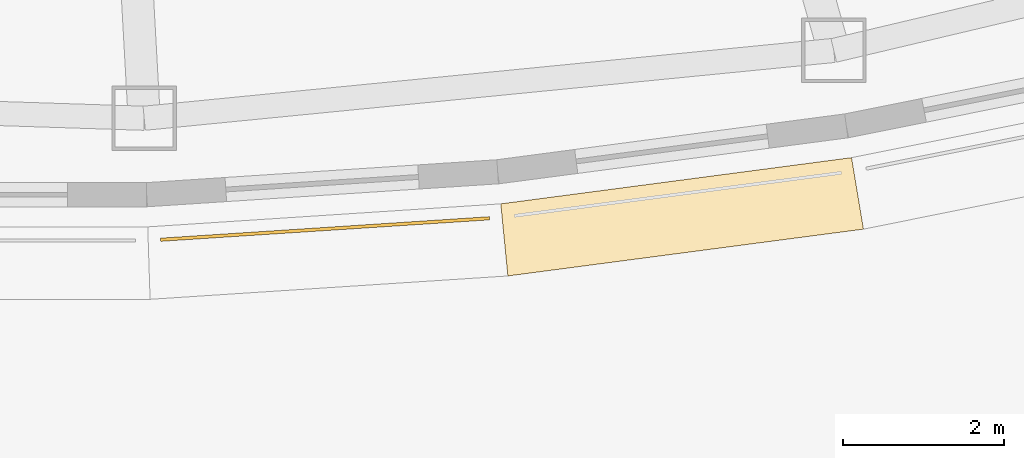
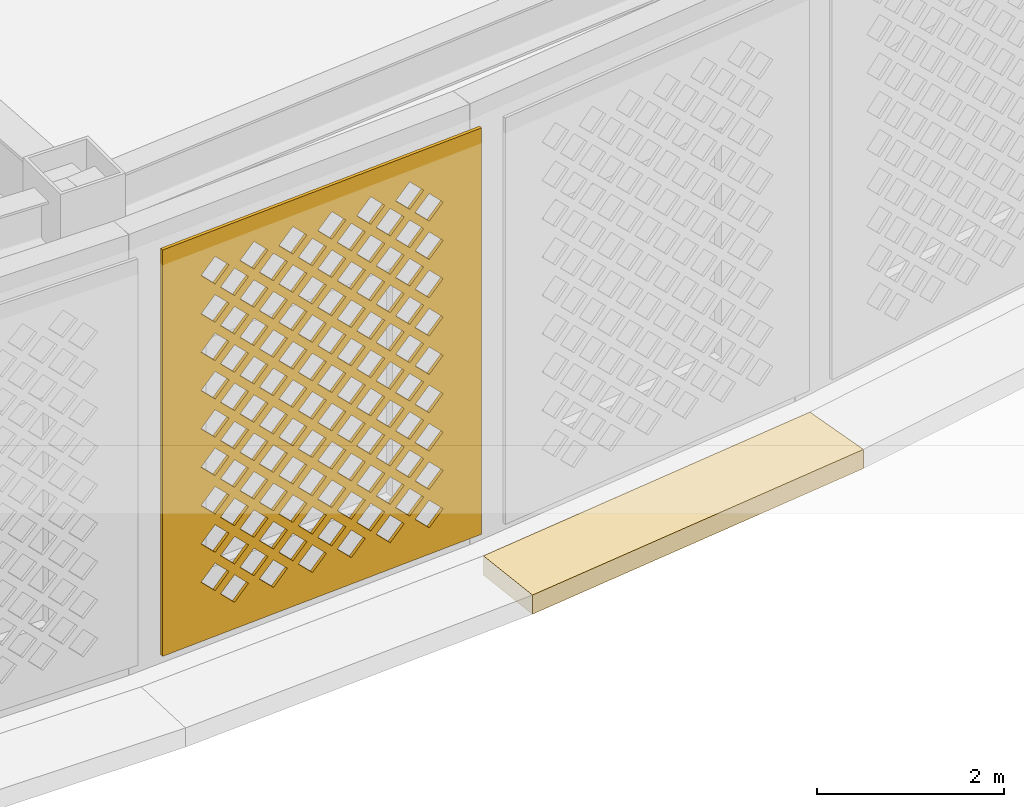
# One storey, part 58 of 74: 2 coverings.
"""IFC4 building model written with IfcOpenShell, lengths in metres."""

import ifcopenshell
import ifcopenshell.guid

model = None  # the IFC model being written
_history = None  # IfcOwnerHistory: only IFC2X3 demands one
_inside = {}  # id of a spatial element -> (the spatial element, [elements in it])
_under = {}  # id of a project, library or spatial element -> (it, [spatial elements below it])
_declared = {}  # id of a project -> (the project, [libraries it declares])
_typed = {}  # id of a type object -> (the type object, [elements of that type])
_made_of = {}  # id of a material, layer set ... -> (it, [elements and type objects made of it])


def new_model(schema):
    """Start an empty IFC model of exactly this schema.

    Asked for "IFC4X3", IfcOpenShell would pick the latest addendum, in which some entities
    have other attributes; the version numbers below select the first issue.
    IFC2X3 requires an IfcOwnerHistory on every rooted entity: one is made here for all.
    """
    global model, _history
    if schema == "IFC4X3":
        model = ifcopenshell.file(schema_version=(4, 3, 0, 0))
    else:
        model = ifcopenshell.file(schema=schema)
    _inside.clear()
    _under.clear()
    _declared.clear()
    _typed.clear()
    _made_of.clear()
    _history = None
    if model.schema == "IFC2X3":
        org = make("IfcOrganization", Name="unknown")
        user = make(
            "IfcPersonAndOrganization",
            ThePerson=make("IfcPerson", FamilyName="unknown"),
            TheOrganization=org,
        )
        app = make(
            "IfcApplication",
            ApplicationDeveloper=org,
            Version="unknown",
            ApplicationFullName="unknown",
            ApplicationIdentifier="unknown",
        )
        _history = make(
            "IfcOwnerHistory",
            OwningUser=user,
            OwningApplication=app,
            ChangeAction="ADDED",
            CreationDate=0,
        )
    return model


def make(cls, **values):
    """One entity of the class cls with the attributes given. An attribute that is None is left unset."""
    return model.create_entity(
        cls, **{name: value for name, value in values.items() if value is not None}
    )


def rooted(cls, **values):
    """An entity with a GlobalId (a new one), such as an element, a storey or a relation."""
    return make(cls, GlobalId=ifcopenshell.guid.new(), OwnerHistory=_history, **values)


def si_unit(unit_type, name, prefix=None):
    """IfcSIUnit, for example si_unit("LENGTHUNIT", "METRE", prefix="MILLI")."""
    return make("IfcSIUnit", UnitType=unit_type, Prefix=prefix, Name=name)


def assignment(units):
    """IfcUnitAssignment: the units of a project."""
    return None if units is None else make("IfcUnitAssignment", Units=units)


def point(xyz):
    """IfcCartesianPoint."""
    return None if xyz is None else make("IfcCartesianPoint", Coordinates=xyz)


def direction(xyz):
    """IfcDirection."""
    return None if xyz is None else make("IfcDirection", DirectionRatios=xyz)


def frame(location, z_axis=None, x_axis=None):
    """IfcAxis2Placement3D, a coordinate frame: its origin and axes. An axis left out is left unset."""
    return make(
        "IfcAxis2Placement3D",
        Location=point(location),
        Axis=direction(z_axis),
        RefDirection=direction(x_axis),
    )


def origin():
    """The frame at (0, 0, 0) with its axes left unset."""
    return frame((0.0, 0.0, 0.0))


def place(relative_to, where):
    """IfcLocalPlacement: puts the frame where relative to a parent placement (None: the world)."""
    return make(
        "IfcLocalPlacement", PlacementRelTo=relative_to, RelativePlacement=where
    )


def context(
    kind, dimensions, precision=None, world=None, true_north=None, identifier=None
):
    """IfcGeometricRepresentationContext, for example the 3D "Model" context."""
    return make(
        "IfcGeometricRepresentationContext",
        ContextIdentifier=identifier,
        ContextType=kind,
        CoordinateSpaceDimension=dimensions,
        Precision=precision,
        WorldCoordinateSystem=world,
        TrueNorth=true_north,
    )


def subcontext(parent, identifier, kind, view, scale=None):
    """IfcGeometricRepresentationSubContext, for example "Body" below "Model"."""
    return make(
        "IfcGeometricRepresentationSubContext",
        ContextIdentifier=identifier,
        ContextType=kind,
        ParentContext=parent,
        TargetScale=scale,
        TargetView=view,
    )


def project(units=None, contexts=None):
    """IfcProject with its units and contexts."""
    return rooted(
        "IfcProject",
        Name="project",
        RepresentationContexts=contexts,
        UnitsInContext=assignment(units),
    )


def spatial(cls, under=None, at=None, **own):
    """A site, building, storey or space (cls), placed at a placement, below another one or the project."""
    s = rooted(cls, ObjectPlacement=at, **own)
    if under is not None:
        _under.setdefault(under.id(), (under, []))[1].append(s)
    return s


def polyline(points):
    """IfcPolyline through the points."""
    return make("IfcPolyline", Points=[point(p) for p in points])


def outline(outer, holes=None, kind="AREA"):
    """IfcArbitraryClosedProfileDef: a profile drawn as a closed curve; with holes, ...WithVoids."""
    if holes is None:
        return make("IfcArbitraryClosedProfileDef", ProfileType=kind, OuterCurve=outer)
    return make(
        "IfcArbitraryProfileDefWithVoids",
        ProfileType=kind,
        OuterCurve=outer,
        InnerCurves=holes,
    )


def extrude(swept, where, along, depth):
    """IfcExtrudedAreaSolid: the profile swept, set in the frame where, extruded along a direction by depth."""
    return make(
        "IfcExtrudedAreaSolid",
        SweptArea=swept,
        Position=where,
        ExtrudedDirection=direction(along),
        Depth=depth,
    )


def shape(context_of_items, identifier, shape_type, items):
    """IfcShapeRepresentation: the items that make up one representation, for example the "Body"."""
    return make(
        "IfcShapeRepresentation",
        ContextOfItems=context_of_items,
        RepresentationIdentifier=identifier,
        RepresentationType=shape_type,
        Items=items,
    )


def material(Name=None, Category=None):
    """IfcMaterial."""
    return make("IfcMaterial", Name=Name, Category=Category)


def layer(
    of_material, thickness, ventilated=None, Name=None, Category=None, Priority=None
):
    """IfcMaterialLayer: one layer of a wall or slab, of a material (None: an air gap)."""
    return make(
        "IfcMaterialLayer",
        Material=of_material,
        LayerThickness=thickness,
        IsVentilated=ventilated,
        Name=Name,
        Category=Category,
        Priority=Priority,
    )


def layer_set(layers, Name=None):
    """IfcMaterialLayerSet."""
    return make("IfcMaterialLayerSet", MaterialLayers=layers, LayerSetName=Name)


def made_of(thing, what):
    """Note that an element or type object is made of a material, layer set ...; save() writes the relation."""
    if what is not None:
        _made_of.setdefault(what.id(), (what, []))[1].append(thing)
    return thing


def type_object(cls, material=None, **own):
    """A type object (cls), such as IfcWallType, which elements share."""
    return made_of(rooted(cls, **own), material)


def element(
    cls,
    number,
    at=None,
    inside=None,
    cuts=None,
    type_object=None,
    material=None,
    context=None,
    identifier="Body",
    shape_type=None,
    held_by="IfcProductDefinitionShape",
    body=None,
    shapes=None,
    **own,
):
    """One element of the class cls, such as IfcWall. Its Tag is "e" and its number.

    at: its placement. inside: the storey or other place that contains it. cuts: it is an
    opening in that element (IfcRelVoidsElement). A single representation is given by context,
    identifier, shape_type and body (its items); several are given by shapes. held_by: the class
    of the entity that holds the representations. save() writes the other relations.
    """
    e = rooted(cls, Tag="e%d" % number, ObjectPlacement=at, **own)
    if body is not None:
        shapes = [shape(context, identifier, shape_type, body)]
    if shapes is not None:
        e.Representation = make(held_by, Representations=shapes)
    if inside is not None:
        _inside.setdefault(inside.id(), (inside, []))[1].append(e)
    if cuts is not None:
        rooted(
            "IfcRelVoidsElement", RelatingBuildingElement=cuts, RelatedOpeningElement=e
        )
    if type_object is not None:
        _typed.setdefault(type_object.id(), (type_object, []))[1].append(e)
    return made_of(e, material)


def aggregate(whole, parts):
    """IfcRelAggregates: a whole, such as a stair, and the parts it consists of."""
    return rooted("IfcRelAggregates", RelatingObject=whole, RelatedObjects=parts)


def save(model, path):
    """Write the relations noted so far, then the file.

    IfcRelAggregates (storeys below a building ...), IfcRelContainedInSpatialStructure (elements
    in a storey), IfcRelDefinesByType, IfcRelAssociatesMaterial and IfcRelDeclares: one each for
    every whole, place, type object, material and project.
    """
    for whole, parts in _under.values():
        aggregate(whole, parts)
    for where, things in _inside.values():
        rooted(
            "IfcRelContainedInSpatialStructure",
            RelatedElements=things,
            RelatingStructure=where,
        )
    for kind, things in _typed.values():
        rooted("IfcRelDefinesByType", RelatedObjects=things, RelatingType=kind)
    for what, things in _made_of.values():
        rooted("IfcRelAssociatesMaterial", RelatedObjects=things, RelatingMaterial=what)
    for by, libraries in _declared.values():
        rooted("IfcRelDeclares", RelatingContext=by, RelatedDefinitions=libraries)
    model.write(path)


model = new_model("IFC4")

# Units and contexts
model_context = context("Model", 3, precision=1e-05, world=origin(), true_north=direction((0.0, 1.0)))
body_context = subcontext(model_context, "Body", "Model", "MODEL_VIEW")
ifc_project = project(units=[si_unit("LENGTHUNIT", "METRE"), si_unit("AREAUNIT", "SQUARE_METRE"), si_unit("VOLUMEUNIT", "CUBIC_METRE"), si_unit("PLANEANGLEUNIT", "RADIAN"), si_unit("MASSUNIT", "GRAM", prefix="KILO")], contexts=[model_context])

# Site, building, storey
site_placement = place(None, origin())
site = spatial("IfcSite", under=ifc_project, at=site_placement, CompositionType="ELEMENT")
building_placement = place(site_placement, origin())
building = spatial("IfcBuilding", under=site, at=building_placement, Name="Noorbagh Ring Tower", CompositionType="ELEMENT")
storey_placement = place(building_placement, frame((0.0, 0.0, 7.5)))
storey = spatial("IfcBuildingStorey", under=building, at=storey_placement, Name="L01", CompositionType="ELEMENT", Elevation=7.5)

# Coverings
ifc_material_1 = material(Name="Red sandstone eave", Category="masonry")
covering_type_1 = type_object("IfcCoveringType", Name="STY-CHHAJJA", PredefinedType="USERDEFINED", material=ifc_material_1)
covering_1_placement = place(storey_placement, frame((0.0, 0.0, -0.25)))
element("IfcCovering", 1, at=covering_1_placement, inside=storey, type_object=covering_type_1, Name="Chhajja eave", ObjectType="CHHAJJA", PredefinedType="USERDEFINED", context=body_context, shape_type="SweptSolid", body=[
    extrude(outline(polyline([(6.586181640625, -39.677978515625), (10.945556640625, -39.103759765625), (11.093017578125, -39.9921875), (6.67431640625, -40.573974609375), (6.586181640625, -39.677978515625)])), origin(), (0.0, 0.0, 1.0), 0.25),
])
ifc_material_2 = material(Name="Red sandstone jali", Category="masonry")
ifc_layer = layer(ifc_material_2, 0.0400390625)
ifc_layer_set = layer_set([ifc_layer], Name="Red sandstone jali")
covering_type_2 = type_object("IfcCoveringType", Name="STY-JALI", PredefinedType="USERDEFINED", material=ifc_layer_set)
covering_2_placement = place(storey_placement, frame((2.360595703125, -40.14404296875, 0.449951171875), z_axis=(0.065130734288, -0.997876739608, 0.0), x_axis=(0.997876739608, 0.065130734288, 0.0)))
element("IfcCovering", 2, at=covering_2_placement, inside=storey, type_object=covering_type_2, Name="Jali screen", ObjectType="SCREEN", PredefinedType="USERDEFINED", context=body_context, shape_type="SweptSolid", body=[
    extrude(outline(polyline([(0.0, 0.0), (4.09716796875, 0.0), (4.09716796875, 5.300048828125), (0.0, 5.300048828125), (0.0, 0.0)]), holes=[polyline([(0.743408203125, 0.52490234375), (0.923583984375, 0.344970703125), (1.103515625, 0.52490234375), (0.923583984375, 0.705078125), (0.743408203125, 0.52490234375)]), polyline([(1.243408203125, 0.52490234375), (1.423583984375, 0.344970703125), (1.603515625, 0.52490234375), (1.423583984375, 0.705078125), (1.243408203125, 0.52490234375)]), polyline([(1.743408203125, 0.52490234375), (1.923583984375, 0.344970703125), (2.103515625, 0.52490234375), (1.923583984375, 0.705078125), (1.743408203125, 0.52490234375)]), polyline([(2.243408203125, 0.52490234375), (2.423583984375, 0.344970703125), (2.603515625, 0.52490234375), (2.423583984375, 0.705078125), (2.243408203125, 0.52490234375)]), polyline([(2.743408203125, 0.52490234375), (2.923583984375, 0.344970703125), (3.103515625, 0.52490234375), (2.923583984375, 0.705078125), (2.743408203125, 0.52490234375)]), polyline([(3.243408203125, 0.52490234375), (3.423583984375, 0.344970703125), (3.603515625, 0.52490234375), (3.423583984375, 0.705078125), (3.243408203125, 0.52490234375)]), polyline([(0.493408203125, 0.77490234375), (0.673583984375, 0.594970703125), (0.853515625, 0.77490234375), (0.673583984375, 0.955078125), (0.493408203125, 0.77490234375)]), polyline([(0.993408203125, 0.77490234375), (1.173583984375, 0.594970703125), (1.353515625, 0.77490234375), (1.173583984375, 0.955078125), (0.993408203125, 0.77490234375)]), polyline([(1.493408203125, 0.77490234375), (1.673583984375, 0.594970703125), (1.853515625, 0.77490234375), (1.673583984375, 0.955078125), (1.493408203125, 0.77490234375)]), polyline([(1.993408203125, 0.77490234375), (2.173583984375, 0.594970703125), (2.353515625, 0.77490234375), (2.173583984375, 0.955078125), (1.993408203125, 0.77490234375)]), polyline([(2.493408203125, 0.77490234375), (2.673583984375, 0.594970703125), (2.853515625, 0.77490234375), (2.673583984375, 0.955078125), (2.493408203125, 0.77490234375)]), polyline([(2.993408203125, 0.77490234375), (3.173583984375, 0.594970703125), (3.353515625, 0.77490234375), (3.173583984375, 0.955078125), (2.993408203125, 0.77490234375)]), polyline([(0.743408203125, 1.02490234375), (0.923583984375, 0.844970703125), (1.103515625, 1.02490234375), (0.923583984375, 1.205078125), (0.743408203125, 1.02490234375)]), polyline([(1.243408203125, 1.02490234375), (1.423583984375, 0.844970703125), (1.603515625, 1.02490234375), (1.423583984375, 1.205078125), (1.243408203125, 1.02490234375)]), polyline([(1.743408203125, 1.02490234375), (1.923583984375, 0.844970703125), (2.103515625, 1.02490234375), (1.923583984375, 1.205078125), (1.743408203125, 1.02490234375)]), polyline([(2.243408203125, 1.02490234375), (2.423583984375, 0.844970703125), (2.603515625, 1.02490234375), (2.423583984375, 1.205078125), (2.243408203125, 1.02490234375)]), polyline([(2.743408203125, 1.02490234375), (2.923583984375, 0.844970703125), (3.103515625, 1.02490234375), (2.923583984375, 1.205078125), (2.743408203125, 1.02490234375)]), polyline([(3.243408203125, 1.02490234375), (3.423583984375, 0.844970703125), (3.603515625, 1.02490234375), (3.423583984375, 1.205078125), (3.243408203125, 1.02490234375)]), polyline([(0.493408203125, 1.27490234375), (0.673583984375, 1.094970703125), (0.853515625, 1.27490234375), (0.673583984375, 1.455078125), (0.493408203125, 1.27490234375)]), polyline([(0.993408203125, 1.27490234375), (1.173583984375, 1.094970703125), (1.353515625, 1.27490234375), (1.173583984375, 1.455078125), (0.993408203125, 1.27490234375)]), polyline([(1.493408203125, 1.27490234375), (1.673583984375, 1.094970703125), (1.853515625, 1.27490234375), (1.673583984375, 1.455078125), (1.493408203125, 1.27490234375)]), polyline([(1.993408203125, 1.27490234375), (2.173583984375, 1.094970703125), (2.353515625, 1.27490234375), (2.173583984375, 1.455078125), (1.993408203125, 1.27490234375)]), polyline([(2.493408203125, 1.27490234375), (2.673583984375, 1.094970703125), (2.853515625, 1.27490234375), (2.673583984375, 1.455078125), (2.493408203125, 1.27490234375)]), polyline([(2.993408203125, 1.27490234375), (3.173583984375, 1.094970703125), (3.353515625, 1.27490234375), (3.173583984375, 1.455078125), (2.993408203125, 1.27490234375)]), polyline([(0.743408203125, 1.52490234375), (0.923583984375, 1.344970703125), (1.103515625, 1.52490234375), (0.923583984375, 1.705078125), (0.743408203125, 1.52490234375)]), polyline([(1.243408203125, 1.52490234375), (1.423583984375, 1.344970703125), (1.603515625, 1.52490234375), (1.423583984375, 1.705078125), (1.243408203125, 1.52490234375)]), polyline([(1.743408203125, 1.52490234375), (1.923583984375, 1.344970703125), (2.103515625, 1.52490234375), (1.923583984375, 1.705078125), (1.743408203125, 1.52490234375)]), polyline([(2.243408203125, 1.52490234375), (2.423583984375, 1.344970703125), (2.603515625, 1.52490234375), (2.423583984375, 1.705078125), (2.243408203125, 1.52490234375)]), polyline([(2.743408203125, 1.52490234375), (2.923583984375, 1.344970703125), (3.103515625, 1.52490234375), (2.923583984375, 1.705078125), (2.743408203125, 1.52490234375)]), polyline([(3.243408203125, 1.52490234375), (3.423583984375, 1.344970703125), (3.603515625, 1.52490234375), (3.423583984375, 1.705078125), (3.243408203125, 1.52490234375)]), polyline([(0.493408203125, 1.77490234375), (0.673583984375, 1.594970703125), (0.853515625, 1.77490234375), (0.673583984375, 1.955078125), (0.493408203125, 1.77490234375)]), polyline([(0.993408203125, 1.77490234375), (1.173583984375, 1.594970703125), (1.353515625, 1.77490234375), (1.173583984375, 1.955078125), (0.993408203125, 1.77490234375)]), polyline([(1.493408203125, 1.77490234375), (1.673583984375, 1.594970703125), (1.853515625, 1.77490234375), (1.673583984375, 1.955078125), (1.493408203125, 1.77490234375)]), polyline([(1.993408203125, 1.77490234375), (2.173583984375, 1.594970703125), (2.353515625, 1.77490234375), (2.173583984375, 1.955078125), (1.993408203125, 1.77490234375)]), polyline([(2.493408203125, 1.77490234375), (2.673583984375, 1.594970703125), (2.853515625, 1.77490234375), (2.673583984375, 1.955078125), (2.493408203125, 1.77490234375)]), polyline([(2.993408203125, 1.77490234375), (3.173583984375, 1.594970703125), (3.353515625, 1.77490234375), (3.173583984375, 1.955078125), (2.993408203125, 1.77490234375)]), polyline([(0.743408203125, 2.02490234375), (0.923583984375, 1.844970703125), (1.103515625, 2.02490234375), (0.923583984375, 2.205078125), (0.743408203125, 2.02490234375)]), polyline([(1.243408203125, 2.02490234375), (1.423583984375, 1.844970703125), (1.603515625, 2.02490234375), (1.423583984375, 2.205078125), (1.243408203125, 2.02490234375)]), polyline([(1.743408203125, 2.02490234375), (1.923583984375, 1.844970703125), (2.103515625, 2.02490234375), (1.923583984375, 2.205078125), (1.743408203125, 2.02490234375)]), polyline([(2.243408203125, 2.02490234375), (2.423583984375, 1.844970703125), (2.603515625, 2.02490234375), (2.423583984375, 2.205078125), (2.243408203125, 2.02490234375)]), polyline([(2.743408203125, 2.02490234375), (2.923583984375, 1.844970703125), (3.103515625, 2.02490234375), (2.923583984375, 2.205078125), (2.743408203125, 2.02490234375)]), polyline([(3.243408203125, 2.02490234375), (3.423583984375, 1.844970703125), (3.603515625, 2.02490234375), (3.423583984375, 2.205078125), (3.243408203125, 2.02490234375)]), polyline([(0.493408203125, 2.27490234375), (0.673583984375, 2.094970703125), (0.853515625, 2.27490234375), (0.673583984375, 2.455078125), (0.493408203125, 2.27490234375)]), polyline([(0.993408203125, 2.27490234375), (1.173583984375, 2.094970703125), (1.353515625, 2.27490234375), (1.173583984375, 2.455078125), (0.993408203125, 2.27490234375)]), polyline([(1.493408203125, 2.27490234375), (1.673583984375, 2.094970703125), (1.853515625, 2.27490234375), (1.673583984375, 2.455078125), (1.493408203125, 2.27490234375)]), polyline([(1.993408203125, 2.27490234375), (2.173583984375, 2.094970703125), (2.353515625, 2.27490234375), (2.173583984375, 2.455078125), (1.993408203125, 2.27490234375)]), polyline([(2.493408203125, 2.27490234375), (2.673583984375, 2.094970703125), (2.853515625, 2.27490234375), (2.673583984375, 2.455078125), (2.493408203125, 2.27490234375)]), polyline([(2.993408203125, 2.27490234375), (3.173583984375, 2.094970703125), (3.353515625, 2.27490234375), (3.173583984375, 2.455078125), (2.993408203125, 2.27490234375)]), polyline([(0.743408203125, 2.52490234375), (0.923583984375, 2.344970703125), (1.103515625, 2.52490234375), (0.923583984375, 2.705078125), (0.743408203125, 2.52490234375)]), polyline([(1.243408203125, 2.52490234375), (1.423583984375, 2.344970703125), (1.603515625, 2.52490234375), (1.423583984375, 2.705078125), (1.243408203125, 2.52490234375)]), polyline([(1.743408203125, 2.52490234375), (1.923583984375, 2.344970703125), (2.103515625, 2.52490234375), (1.923583984375, 2.705078125), (1.743408203125, 2.52490234375)]), polyline([(2.243408203125, 2.52490234375), (2.423583984375, 2.344970703125), (2.603515625, 2.52490234375), (2.423583984375, 2.705078125), (2.243408203125, 2.52490234375)]), polyline([(2.743408203125, 2.52490234375), (2.923583984375, 2.344970703125), (3.103515625, 2.52490234375), (2.923583984375, 2.705078125), (2.743408203125, 2.52490234375)]), polyline([(3.243408203125, 2.52490234375), (3.423583984375, 2.344970703125), (3.603515625, 2.52490234375), (3.423583984375, 2.705078125), (3.243408203125, 2.52490234375)]), polyline([(0.493408203125, 2.77490234375), (0.673583984375, 2.594970703125), (0.853515625, 2.77490234375), (0.673583984375, 2.955078125), (0.493408203125, 2.77490234375)]), polyline([(0.993408203125, 2.77490234375), (1.173583984375, 2.594970703125), (1.353515625, 2.77490234375), (1.173583984375, 2.955078125), (0.993408203125, 2.77490234375)]), polyline([(1.493408203125, 2.77490234375), (1.673583984375, 2.594970703125), (1.853515625, 2.77490234375), (1.673583984375, 2.955078125), (1.493408203125, 2.77490234375)]), polyline([(1.993408203125, 2.77490234375), (2.173583984375, 2.594970703125), (2.353515625, 2.77490234375), (2.173583984375, 2.955078125), (1.993408203125, 2.77490234375)]), polyline([(2.493408203125, 2.77490234375), (2.673583984375, 2.594970703125), (2.853515625, 2.77490234375), (2.673583984375, 2.955078125), (2.493408203125, 2.77490234375)]), polyline([(2.993408203125, 2.77490234375), (3.173583984375, 2.594970703125), (3.353515625, 2.77490234375), (3.173583984375, 2.955078125), (2.993408203125, 2.77490234375)]), polyline([(0.743408203125, 3.02490234375), (0.923583984375, 2.844970703125), (1.103515625, 3.02490234375), (0.923583984375, 3.205078125), (0.743408203125, 3.02490234375)]), polyline([(1.243408203125, 3.02490234375), (1.423583984375, 2.844970703125), (1.603515625, 3.02490234375), (1.423583984375, 3.205078125), (1.243408203125, 3.02490234375)]), polyline([(1.743408203125, 3.02490234375), (1.923583984375, 2.844970703125), (2.103515625, 3.02490234375), (1.923583984375, 3.205078125), (1.743408203125, 3.02490234375)]), polyline([(2.243408203125, 3.02490234375), (2.423583984375, 2.844970703125), (2.603515625, 3.02490234375), (2.423583984375, 3.205078125), (2.243408203125, 3.02490234375)]), polyline([(2.743408203125, 3.02490234375), (2.923583984375, 2.844970703125), (3.103515625, 3.02490234375), (2.923583984375, 3.205078125), (2.743408203125, 3.02490234375)]), polyline([(3.243408203125, 3.02490234375), (3.423583984375, 2.844970703125), (3.603515625, 3.02490234375), (3.423583984375, 3.205078125), (3.243408203125, 3.02490234375)]), polyline([(0.493408203125, 3.27490234375), (0.673583984375, 3.094970703125), (0.853515625, 3.27490234375), (0.673583984375, 3.455078125), (0.493408203125, 3.27490234375)]), polyline([(0.993408203125, 3.27490234375), (1.173583984375, 3.094970703125), (1.353515625, 3.27490234375), (1.173583984375, 3.455078125), (0.993408203125, 3.27490234375)]), polyline([(1.493408203125, 3.27490234375), (1.673583984375, 3.094970703125), (1.853515625, 3.27490234375), (1.673583984375, 3.455078125), (1.493408203125, 3.27490234375)]), polyline([(1.993408203125, 3.27490234375), (2.173583984375, 3.094970703125), (2.353515625, 3.27490234375), (2.173583984375, 3.455078125), (1.993408203125, 3.27490234375)]), polyline([(2.493408203125, 3.27490234375), (2.673583984375, 3.094970703125), (2.853515625, 3.27490234375), (2.673583984375, 3.455078125), (2.493408203125, 3.27490234375)]), polyline([(2.993408203125, 3.27490234375), (3.173583984375, 3.094970703125), (3.353515625, 3.27490234375), (3.173583984375, 3.455078125), (2.993408203125, 3.27490234375)]), polyline([(0.743408203125, 3.52490234375), (0.923583984375, 3.344970703125), (1.103515625, 3.52490234375), (0.923583984375, 3.705078125), (0.743408203125, 3.52490234375)]), polyline([(1.243408203125, 3.52490234375), (1.423583984375, 3.344970703125), (1.603515625, 3.52490234375), (1.423583984375, 3.705078125), (1.243408203125, 3.52490234375)]), polyline([(1.743408203125, 3.52490234375), (1.923583984375, 3.344970703125), (2.103515625, 3.52490234375), (1.923583984375, 3.705078125), (1.743408203125, 3.52490234375)]), polyline([(2.243408203125, 3.52490234375), (2.423583984375, 3.344970703125), (2.603515625, 3.52490234375), (2.423583984375, 3.705078125), (2.243408203125, 3.52490234375)]), polyline([(2.743408203125, 3.52490234375), (2.923583984375, 3.344970703125), (3.103515625, 3.52490234375), (2.923583984375, 3.705078125), (2.743408203125, 3.52490234375)]), polyline([(3.243408203125, 3.52490234375), (3.423583984375, 3.344970703125), (3.603515625, 3.52490234375), (3.423583984375, 3.705078125), (3.243408203125, 3.52490234375)]), polyline([(0.493408203125, 3.77490234375), (0.673583984375, 3.594970703125), (0.853515625, 3.77490234375), (0.673583984375, 3.955078125), (0.493408203125, 3.77490234375)]), polyline([(0.993408203125, 3.77490234375), (1.173583984375, 3.594970703125), (1.353515625, 3.77490234375), (1.173583984375, 3.955078125), (0.993408203125, 3.77490234375)]), polyline([(1.493408203125, 3.77490234375), (1.673583984375, 3.594970703125), (1.853515625, 3.77490234375), (1.673583984375, 3.955078125), (1.493408203125, 3.77490234375)]), polyline([(1.993408203125, 3.77490234375), (2.173583984375, 3.594970703125), (2.353515625, 3.77490234375), (2.173583984375, 3.955078125), (1.993408203125, 3.77490234375)]), polyline([(2.493408203125, 3.77490234375), (2.673583984375, 3.594970703125), (2.853515625, 3.77490234375), (2.673583984375, 3.955078125), (2.493408203125, 3.77490234375)]), polyline([(2.993408203125, 3.77490234375), (3.173583984375, 3.594970703125), (3.353515625, 3.77490234375), (3.173583984375, 3.955078125), (2.993408203125, 3.77490234375)]), polyline([(0.743408203125, 4.02490234375), (0.923583984375, 3.844970703125), (1.103515625, 4.02490234375), (0.923583984375, 4.205078125), (0.743408203125, 4.02490234375)]), polyline([(1.243408203125, 4.02490234375), (1.423583984375, 3.844970703125), (1.603515625, 4.02490234375), (1.423583984375, 4.205078125), (1.243408203125, 4.02490234375)]), polyline([(1.743408203125, 4.02490234375), (1.923583984375, 3.844970703125), (2.103515625, 4.02490234375), (1.923583984375, 4.205078125), (1.743408203125, 4.02490234375)]), polyline([(2.243408203125, 4.02490234375), (2.423583984375, 3.844970703125), (2.603515625, 4.02490234375), (2.423583984375, 4.205078125), (2.243408203125, 4.02490234375)]), polyline([(2.743408203125, 4.02490234375), (2.923583984375, 3.844970703125), (3.103515625, 4.02490234375), (2.923583984375, 4.205078125), (2.743408203125, 4.02490234375)]), polyline([(3.243408203125, 4.02490234375), (3.423583984375, 3.844970703125), (3.603515625, 4.02490234375), (3.423583984375, 4.205078125), (3.243408203125, 4.02490234375)]), polyline([(0.493408203125, 4.27490234375), (0.673583984375, 4.094970703125), (0.853515625, 4.27490234375), (0.673583984375, 4.455078125), (0.493408203125, 4.27490234375)]), polyline([(0.993408203125, 4.27490234375), (1.173583984375, 4.094970703125), (1.353515625, 4.27490234375), (1.173583984375, 4.455078125), (0.993408203125, 4.27490234375)]), polyline([(1.493408203125, 4.27490234375), (1.673583984375, 4.094970703125), (1.853515625, 4.27490234375), (1.673583984375, 4.455078125), (1.493408203125, 4.27490234375)]), polyline([(1.993408203125, 4.27490234375), (2.173583984375, 4.094970703125), (2.353515625, 4.27490234375), (2.173583984375, 4.455078125), (1.993408203125, 4.27490234375)]), polyline([(2.493408203125, 4.27490234375), (2.673583984375, 4.094970703125), (2.853515625, 4.27490234375), (2.673583984375, 4.455078125), (2.493408203125, 4.27490234375)]), polyline([(2.993408203125, 4.27490234375), (3.173583984375, 4.094970703125), (3.353515625, 4.27490234375), (3.173583984375, 4.455078125), (2.993408203125, 4.27490234375)]), polyline([(0.743408203125, 4.52490234375), (0.923583984375, 4.344970703125), (1.103515625, 4.52490234375), (0.923583984375, 4.705078125), (0.743408203125, 4.52490234375)]), polyline([(1.243408203125, 4.52490234375), (1.423583984375, 4.344970703125), (1.603515625, 4.52490234375), (1.423583984375, 4.705078125), (1.243408203125, 4.52490234375)]), polyline([(1.743408203125, 4.52490234375), (1.923583984375, 4.344970703125), (2.103515625, 4.52490234375), (1.923583984375, 4.705078125), (1.743408203125, 4.52490234375)]), polyline([(2.243408203125, 4.52490234375), (2.423583984375, 4.344970703125), (2.603515625, 4.52490234375), (2.423583984375, 4.705078125), (2.243408203125, 4.52490234375)]), polyline([(2.743408203125, 4.52490234375), (2.923583984375, 4.344970703125), (3.103515625, 4.52490234375), (2.923583984375, 4.705078125), (2.743408203125, 4.52490234375)]), polyline([(3.243408203125, 4.52490234375), (3.423583984375, 4.344970703125), (3.603515625, 4.52490234375), (3.423583984375, 4.705078125), (3.243408203125, 4.52490234375)]), polyline([(0.493408203125, 4.77490234375), (0.673583984375, 4.594970703125), (0.853515625, 4.77490234375), (0.673583984375, 4.955078125), (0.493408203125, 4.77490234375)]), polyline([(0.993408203125, 4.77490234375), (1.173583984375, 4.594970703125), (1.353515625, 4.77490234375), (1.173583984375, 4.955078125), (0.993408203125, 4.77490234375)]), polyline([(1.493408203125, 4.77490234375), (1.673583984375, 4.594970703125), (1.853515625, 4.77490234375), (1.673583984375, 4.955078125), (1.493408203125, 4.77490234375)]), polyline([(1.993408203125, 4.77490234375), (2.173583984375, 4.594970703125), (2.353515625, 4.77490234375), (2.173583984375, 4.955078125), (1.993408203125, 4.77490234375)]), polyline([(2.493408203125, 4.77490234375), (2.673583984375, 4.594970703125), (2.853515625, 4.77490234375), (2.673583984375, 4.955078125), (2.493408203125, 4.77490234375)]), polyline([(2.993408203125, 4.77490234375), (3.173583984375, 4.594970703125), (3.353515625, 4.77490234375), (3.173583984375, 4.955078125), (2.993408203125, 4.77490234375)])]), origin(), (0.0, 0.0, -1.0), 0.0400390625),
])

save(model, "model.ifc")
